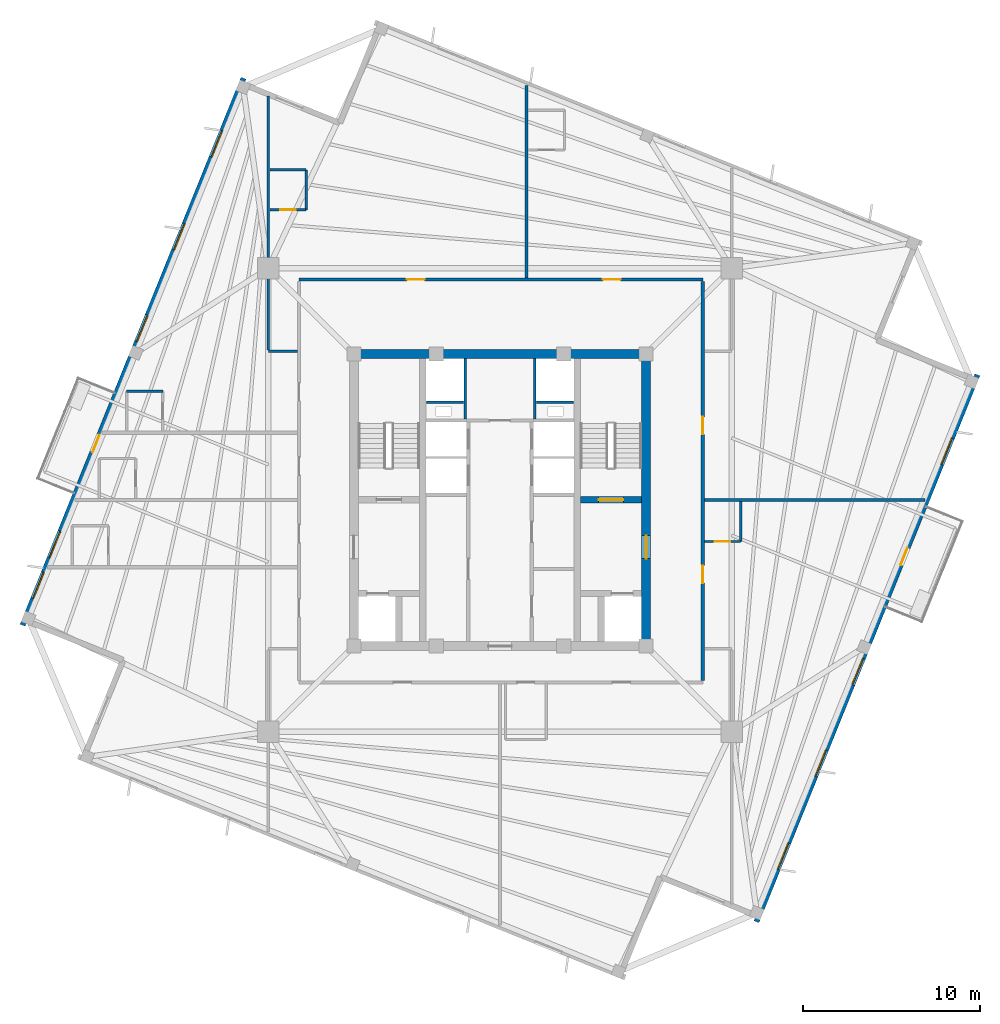
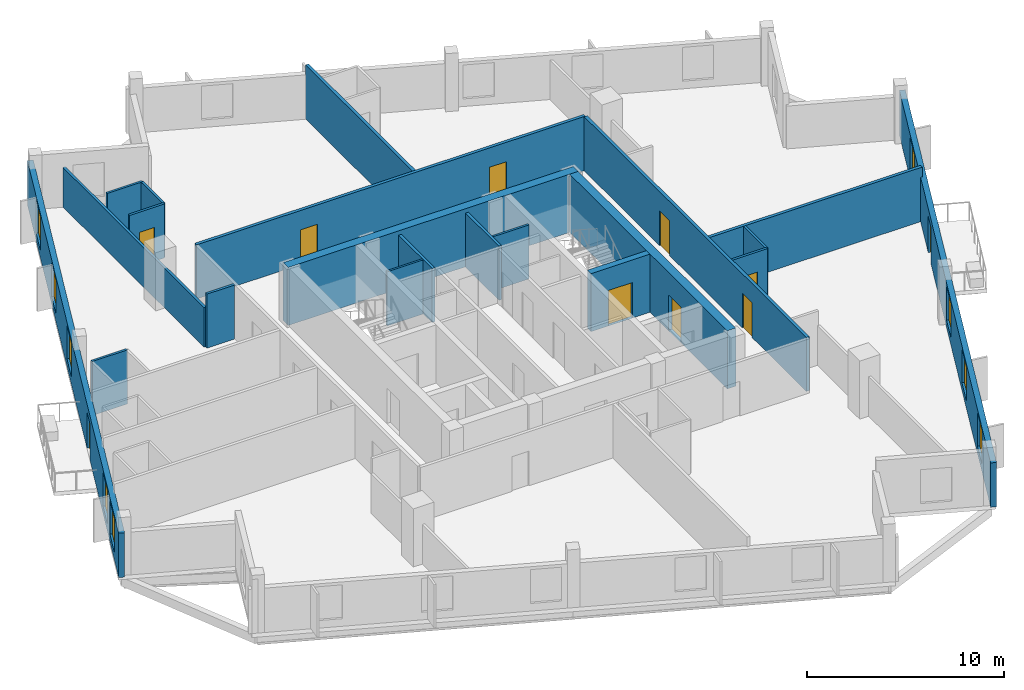
# One storey, part 4 of 8: 21 walls, 10 doors, 9 windows, 19 openings.
"""IFC4 building model written with IfcOpenShell, lengths in metres."""

from ifc_helpers import new_model, si_unit, direction, frame, frame_2d, origin, place, context, subcontext, project, spatial, rectangle, extrude, source, transform, mapped, material, layer, layer_set, type_object, element, fill, save


model = new_model("IFC4")

# Units and contexts
model_context = context("Model", 3, precision=1e-05, world=origin(), true_north=direction((0.0, 1.0)))
body_context = subcontext(model_context, "Body", "Model", "MODEL_VIEW")
ifc_project = project(units=[si_unit("LENGTHUNIT", "METRE"), si_unit("AREAUNIT", "SQUARE_METRE"), si_unit("VOLUMEUNIT", "CUBIC_METRE"), si_unit("PLANEANGLEUNIT", "RADIAN"), si_unit("MASSUNIT", "GRAM", prefix="KILO"), si_unit("THERMODYNAMICTEMPERATUREUNIT", "KELVIN")], contexts=[model_context])

# Site, building, storey
site_placement = place(None, origin())
site = spatial("IfcSite", under=ifc_project, at=site_placement, CompositionType="ELEMENT")
building_placement = place(site_placement, origin())
building = spatial("IfcBuilding", under=site, at=building_placement, Name="Kosmvard Interchange Tower", CompositionType="ELEMENT")
storey_placement = place(building_placement, frame((0.0, 0.0, 290.39990234375)))
storey = spatial("IfcBuildingStorey", under=building, at=storey_placement, Name="L71", CompositionType="ELEMENT", Elevation=290.39990234375)

# Walls
ifc_material_1 = material(Name="Acoustic gypsum partition system")
ifc_layer_1 = layer(ifc_material_1, 0.14990234375, Name="Acoustic gypsum partition system")
ifc_layer_set_1 = layer_set([ifc_layer_1], Name="Acoustic gypsum partition system")
wall_type_1 = type_object("IfcWallType", Name="Acoustic Suite & Meeting Partition 150", PredefinedType="PARTITIONING", material=ifc_layer_set_1)
wall_1_placement = place(storey_placement, frame((-11.445068359375, 8.39990234375, 0.0), z_axis=(0.0, 0.0, 1.0), x_axis=(-1.0, 0.0, 0.0)))
element("IfcWall", 1, at=wall_1_placement, inside=storey, type_object=wall_type_1, Name="L71 Room Partition 07.1", PredefinedType="PARTITIONING", context=body_context, shape_type="SweptSolid", body=[
    extrude(rectangle(XDim=1.635986328125, YDim=0.14990234375, at=frame_2d((0.81787109375, 0.0))), origin(), (0.0, 0.0, 1.0), 3.35009765625),
])
wall_2_placement = place(storey_placement, frame((-13.0810546875, 8.47509765625, 0.0), z_axis=(0.0, 0.0, 1.0), x_axis=(0.0, 1.0, 0.0)))
element("IfcWall", 2, at=wall_2_placement, inside=storey, type_object=wall_type_1, Name="L71 Room Partition 08.1", PredefinedType="PARTITIONING", context=body_context, shape_type="SweptSolid", body=[
    extrude(rectangle(XDim=14.341552734375, YDim=0.14990234375, at=frame_2d((7.1708984375, 0.0))), origin(), (0.0, 0.0, 1.0), 2.4501953125),
])
ifc_material_2 = material(Name="Fire-rated gypsum partition system")
ifc_layer_2 = layer(ifc_material_2, 0.159912109375, Name="Fire-rated gypsum partition system")
ifc_layer_set_2 = layer_set([ifc_layer_2], Name="Fire-rated gypsum partition system")
wall_type_2 = type_object("IfcWallType", Name="Core Compartment & Shuttle Lobby Partition 160", PredefinedType="PARTITIONING", material=ifc_layer_set_2)
for number, where, z_axis, x_axis, name in (
    (3, (-1.9599609375, 4.580078125, 0.0), (0.0, 0.0, 1.0), (0.0, 1.0, 0.0), "L71 North Core West Wall"),
    (4, (1.9599609375, 4.580078125, 0.0), (0.0, 0.0, 1.0), (0.0, 1.0, 0.0), "L71 North Core East Wall"),
):
    element("IfcWall", number, at=place(storey_placement, frame(where, z_axis=z_axis, x_axis=x_axis)), inside=storey, type_object=wall_type_2, Name=name, PredefinedType="PARTITIONING", context=body_context, shape_type="SweptSolid", body=[
        extrude(rectangle(XDim=3.39990234375, YDim=0.159912109375, at=frame_2d((1.699951171875, 0.0))), origin(), (0.0, 0.0, 1.0), 3.35009765625),
    ])

# Wall, openings, doors
ifc_layer_3 = layer(ifc_material_2, 0.179931640625, Name="Fire-rated gypsum partition system")
ifc_layer_set_3 = layer_set([ifc_layer_3], Name="Fire-rated gypsum partition system")
wall_type_3 = type_object("IfcWallType", Name="Corridor & Hotel Compartment Partition 180", PredefinedType="PARTITIONING", material=ifc_layer_set_3)
wall_3_placement = place(storey_placement, frame((-11.35009765625, 12.449951171875, 0.0), z_axis=(0.0, 0.0, 1.0), x_axis=(1.0, 0.0, 0.0)))
wall_3 = element("IfcWall", 5, at=wall_3_placement, inside=storey, type_object=wall_type_3, Name="L71 Corridor Wall CN", PredefinedType="PARTITIONING", context=body_context, shape_type="SweptSolid", body=[
    extrude(rectangle(XDim=22.800048828125, YDim=0.179931640625, at=frame_2d((11.39990234375, 0.0))), origin(), (0.0, 0.0, 1.0), 3.35009765625),
])
opening_1_placement = place(wall_3_placement, frame((6.08935546875, 0.0, 0.0)))
opening_1 = element("IfcOpeningElement", 6, at=opening_1_placement, cuts=wall_3, Name="Opening L71-D06", PredefinedType="OPENING", context=body_context, shape_type="SweptSolid", body=[
    extrude(rectangle(XDim=1.0, YDim=2.14990234375, at=frame_2d((0.5, 1.074951171875))), frame((0.0, 0.10009765625, 0.0), z_axis=(0.0, -1.0, 0.0), x_axis=(1.0, 0.0, 0.0)), (0.0, 0.0, 1.0), 0.199951171875),
])
opening_2_placement = place(wall_3_placement, frame((17.16064453125, 0.0, 0.0)))
opening_2 = element("IfcOpeningElement", 7, at=opening_2_placement, cuts=wall_3, Name="Opening L71-D08", PredefinedType="OPENING", context=body_context, shape_type="SweptSolid", body=[
    extrude(rectangle(XDim=1.0, YDim=2.14990234375, at=frame_2d((0.5, 1.074951171875))), frame((0.0, 0.10009765625, 0.0), z_axis=(0.0, -1.0, 0.0), x_axis=(1.0, 0.0, 0.0)), (0.0, 0.0, 1.0), 0.199951171875),
])
ifc_material_3 = material(Name="Engineered oak fire-rated timber", Category="wood")
door_type_1 = type_object("IfcDoorType", Name="Hotel Guestroom Entrance Door 1000x2150 EI60", OperationType="NOTDEFINED", PredefinedType="DOOR", material=ifc_material_3)
shared_shape_1 = source(origin(), body_context, "Body", "SweptSolid", [
    extrude(rectangle(XDim=1.0, YDim=2.14990234375, at=frame_2d((0.5, 1.074951171875))), frame((0.0, 0.02490234375, 0.0), z_axis=(0.0, -1.0, 0.0), x_axis=(1.0, 0.0, 0.0)), (0.0, 0.0, 1.0), 0.050048828125),
])
door_1_placement = place(opening_1_placement, origin())
door_1 = element("IfcDoor", 8, at=door_1_placement, inside=storey, type_object=door_type_1, Name="L71 Hotel Executive Suite 3 Door", OperationType="SINGLE_SWING_RIGHT", OverallHeight=2.14990234375, OverallWidth=1.0, PredefinedType="DOOR", context=body_context, shape_type="MappedRepresentation", body=[
    mapped(shared_shape_1, transform((0.0, 0.0, 0.0), scale=1.0)),
])
fill(opening_1, door_1)
door_2_placement = place(opening_2_placement, origin())
door_2 = element("IfcDoor", 9, at=door_2_placement, inside=storey, type_object=door_type_1, Name="L71 Hotel South-East Corner Suite 4 Door", OperationType="SINGLE_SWING_RIGHT", OverallHeight=2.14990234375, OverallWidth=1.0, PredefinedType="DOOR", context=body_context, shape_type="MappedRepresentation", body=[
    mapped(shared_shape_1, transform((0.0, 0.0, 0.0), scale=1.0)),
])
fill(opening_2, door_2)

wall_4_placement = place(storey_placement, frame((11.449951171875, -10.199951171875, 0.0), z_axis=(0.0, 0.0, 1.0), x_axis=(0.0, 1.0, 0.0)))
wall_4 = element("IfcWall", 10, at=wall_4_placement, inside=storey, type_object=wall_type_3, Name="L71 Corridor Wall CE", PredefinedType="PARTITIONING", context=body_context, shape_type="SweptSolid", body=[
    extrude(rectangle(XDim=22.550048828125, YDim=0.179931640625, at=frame_2d((11.27490234375, 0.0))), origin(), (0.0, 0.0, 1.0), 3.35009765625),
])
opening_3_placement = place(wall_4_placement, frame((13.89990234375, 0.0, 0.0)))
opening_3 = element("IfcOpeningElement", 11, at=opening_3_placement, cuts=wall_4, Name="Opening L71-D10", PredefinedType="OPENING", context=body_context, shape_type="SweptSolid", body=[
    extrude(rectangle(XDim=1.0, YDim=2.14990234375, at=frame_2d((0.5, 1.074951171875))), frame((0.0, 0.10009765625, 0.0), z_axis=(0.0, -1.0, 0.0), x_axis=(1.0, 0.0, 0.0)), (0.0, 0.0, 1.0), 0.199951171875),
])
opening_4_placement = place(wall_4_placement, frame((5.5, 0.0, 0.0)))
opening_4 = element("IfcOpeningElement", 12, at=opening_4_placement, cuts=wall_4, Name="Opening L71-D11", PredefinedType="OPENING", context=body_context, shape_type="SweptSolid", body=[
    extrude(rectangle(XDim=1.0, YDim=2.14990234375, at=frame_2d((0.5, 1.074951171875))), frame((0.0, 0.10009765625, 0.0), z_axis=(0.0, -1.0, 0.0), x_axis=(1.0, 0.0, 0.0)), (0.0, 0.0, 1.0), 0.199951171875),
])
door_3_placement = place(opening_3_placement, frame((1.0, 0.0, 0.0), z_axis=(0.0, 0.0, 1.0), x_axis=(-1.0, 0.0, 0.0)))
door_3 = element("IfcDoor", 13, at=door_3_placement, inside=storey, type_object=door_type_1, Name="L71 Hotel Summit Boardroom 1 Door", OperationType="SINGLE_SWING_RIGHT", OverallHeight=2.14990234375, OverallWidth=1.0, PredefinedType="DOOR", context=body_context, shape_type="MappedRepresentation", body=[
    mapped(shared_shape_1, transform((0.0, 0.0, 0.0), scale=1.0)),
])
fill(opening_3, door_3)
door_4_placement = place(opening_4_placement, frame((1.0, 0.0, 0.0), z_axis=(0.0, 0.0, 1.0), x_axis=(-1.0, 0.0, 0.0)))
door_4 = element("IfcDoor", 14, at=door_4_placement, inside=storey, type_object=door_type_1, Name="L71 Hotel South-West Corner Suite 5 Door", OperationType="SINGLE_SWING_LEFT", OverallHeight=2.14990234375, OverallWidth=1.0, PredefinedType="DOOR", context=body_context, shape_type="MappedRepresentation", body=[
    mapped(shared_shape_1, transform((0.0, 0.0, 0.0), scale=1.0)),
])
fill(opening_4, door_4)

# Walls
wall_5_placement = place(storey_placement, frame((1.5, 12.544921875, 0.0), z_axis=(0.0, 0.0, 1.0), x_axis=(0.0, 1.0, 0.0)))
element("IfcWall", 15, at=wall_5_placement, inside=storey, type_object=wall_type_3, Name="L71 Room Partition 01.1", PredefinedType="PARTITIONING", context=body_context, shape_type="SweptSolid", body=[
    extrude(rectangle(XDim=10.851806640625, YDim=0.179931640625, at=frame_2d((5.42578125, 0.0))), origin(), (0.0, 0.0, 1.0), 3.35009765625),
])
wall_6_placement = place(storey_placement, frame((11.544921875, 0.0, 0.0), z_axis=(0.0, 0.0, 1.0), x_axis=(1.0, 0.0, 0.0)))
element("IfcWall", 16, at=wall_6_placement, inside=storey, type_object=wall_type_3, Name="L71 Room Partition 02.1", PredefinedType="PARTITIONING", context=body_context, shape_type="SweptSolid", body=[
    extrude(rectangle(XDim=12.457763671875, YDim=0.179931640625, at=frame_2d((6.22900390625, 0.0))), origin(), (0.0, 0.0, 1.0), 3.35009765625),
])
ifc_material_4 = material(Name="Fire-rated gypsum shaftwall system")
ifc_layer_4 = layer(ifc_material_4, 0.1201171875, Name="Fire-rated gypsum shaftwall system")
ifc_layer_set_4 = layer_set([ifc_layer_4], Name="Fire-rated gypsum shaftwall system")
wall_type_4 = type_object("IfcWallType", Name="Shaft & Riser Fire Partition 120 EI60", PredefinedType="PARTITIONING", material=ifc_layer_set_4)
for number, where, z_axis, x_axis, name in (
    (17, (-4.159912109375, 5.52001953125, 0.0), (0.0, 0.0, 1.0), (1.0, 0.0, 0.0), "L71 Riser Shaft Divider W"),
    (18, (2.06005859375, 5.52001953125, 0.0), (0.0, 0.0, 1.0), (1.0, 0.0, 0.0), "L71 Riser Shaft Divider E"),
):
    element("IfcWall", number, at=place(storey_placement, frame(where, z_axis=z_axis, x_axis=x_axis)), inside=storey, type_object=wall_type_4, Name=name, PredefinedType="PARTITIONING", context=body_context, shape_type="SweptSolid", body=[
        extrude(rectangle(XDim=2.099853515625, YDim=0.1201171875, at=frame_2d((1.0498046875, 0.0))), origin(), (0.0, 0.0, 1.0), 3.35009765625),
    ])

# Wall, opening, door
ifc_material_5 = material(Name="Concrete C60/75", Category="concrete")
ifc_layer_5 = layer(ifc_material_5, 0.360107421875, Name="Concrete C60/75")
ifc_layer_set_5 = layer_set([ifc_layer_5], Name="Concrete C60/75")
wall_type_5 = type_object("IfcWallType", Name="Stair & Lift Shaft Shear Wall 360 C60/75", PredefinedType="SHEAR", material=ifc_layer_set_5)
wall_7_placement = place(storey_placement, frame((4.5400390625, 0.02001953125, 0.0), z_axis=(0.0, 0.0, 1.0), x_axis=(1.0, 0.0, 0.0)))
wall_7 = element("IfcWall", 19, at=wall_7_placement, inside=storey, type_object=wall_type_5, Name="L71 Shaft Shear Wall SW-ST2", PredefinedType="SHEAR", context=body_context, shape_type="SweptSolid", body=[
    extrude(rectangle(XDim=3.4599609375, YDim=0.360107421875, at=frame_2d((1.72998046875, 0.0))), origin(), (0.0, 0.0, 1.0), 3.60009765625),
])
opening_5_placement = place(wall_7_placement, frame((1.030029296875, 0.0, 0.0)))
opening_5 = element("IfcOpeningElement", 20, at=opening_5_placement, cuts=wall_7, Name="Opening L71-SD2", PredefinedType="OPENING", context=body_context, shape_type="SweptSolid", body=[
    extrude(rectangle(XDim=1.39990234375, YDim=2.199951171875, at=frame_2d((0.699951171875, 1.10009765625))), frame((0.0, 0.18994140625, 0.0), z_axis=(0.0, -1.0, 0.0), x_axis=(1.0, 0.0, 0.0)), (0.0, 0.0, 1.0), 0.380126953125),
])
ifc_material_6 = material(Name="Painted fire-rated steel leaf", Category="steel")
door_type_2 = type_object("IfcDoorType", Name="Protected Stair Door 1400x2200 FD60S", OperationType="NOTDEFINED", PredefinedType="DOOR", material=ifc_material_6)
shared_shape_2 = source(origin(), body_context, "Body", "SweptSolid", [
    extrude(rectangle(XDim=1.39990234375, YDim=2.199951171875, at=frame_2d((0.699951171875, 1.10009765625))), frame((0.0, 0.02490234375, 0.0), z_axis=(0.0, -1.0, 0.0), x_axis=(1.0, 0.0, 0.0)), (0.0, 0.0, 1.0), 0.050048828125),
])
door_5_placement = place(opening_5_placement, origin())
door_5 = element("IfcDoor", 21, at=door_5_placement, inside=storey, type_object=door_type_2, Name="L71 Stair ST-2 Enclosure Door", OperationType="SINGLE_SWING_RIGHT", OverallHeight=2.199951171875, OverallWidth=1.39990234375, PredefinedType="DOOR", context=body_context, shape_type="MappedRepresentation", body=[
    mapped(shared_shape_2, transform((0.0, 0.0, 0.0), scale=1.0)),
])
fill(opening_5, door_5)

# Wall
ifc_layer_6 = layer(ifc_material_5, 0.5, Name="Concrete C60/75")
ifc_layer_set_6 = layer_set([ifc_layer_6], Name="Concrete C60/75")
wall_type_6 = type_object("IfcWallType", Name="Upper Core Shear Wall 500 C60/75", PredefinedType="SHEAR", material=ifc_layer_set_6)
wall_8_placement = place(storey_placement, frame((-8.5, 8.25, 0.0), z_axis=(0.0, 0.0, 1.0), x_axis=(1.0, 0.0, 0.0)))
element("IfcWall", 22, at=wall_8_placement, inside=storey, type_object=wall_type_6, Name="L71 Core Shear Wall CW-N", PredefinedType="SHEAR", context=body_context, shape_type="SweptSolid", body=[
    extrude(rectangle(XDim=17.0, YDim=0.5, at=frame_2d((8.5, 0.0))), origin(), (0.0, 0.0, 1.0), 3.60009765625),
])

# Wall, opening, door
wall_9_placement = place(storey_placement, frame((8.25, -8.0, 0.0), z_axis=(0.0, 0.0, 1.0), x_axis=(0.0, 1.0, 0.0)))
wall_9 = element("IfcWall", 23, at=wall_9_placement, inside=storey, type_object=wall_type_6, Name="L71 Core Shear Wall CW-E", PredefinedType="SHEAR", context=body_context, shape_type="SweptSolid", body=[
    extrude(rectangle(XDim=16.0, YDim=0.5, at=frame_2d((8.0, 0.0))), origin(), (0.0, 0.0, 1.0), 3.60009765625),
])
opening_6_placement = place(wall_9_placement, frame((4.68994140625, 0.0, 0.0)))
opening_6 = element("IfcOpeningElement", 24, at=opening_6_placement, cuts=wall_9, Name="Opening L71-FD2", PredefinedType="OPENING", context=body_context, shape_type="SweptSolid", body=[
    extrude(rectangle(XDim=1.300048828125, YDim=2.199951171875, at=frame_2d((0.64990234375, 1.10009765625))), frame((0.0, 0.260009765625, 0.0), z_axis=(0.0, -1.0, 0.0), x_axis=(1.0, 0.0, 0.0)), (0.0, 0.0, 1.0), 0.52001953125),
])
door_type_3 = type_object("IfcDoorType", Name="Firefighting Lobby Door 1300x2200 EI60", OperationType="NOTDEFINED", PredefinedType="DOOR", material=ifc_material_6)
shared_shape_3 = source(origin(), body_context, "Body", "SweptSolid", [
    extrude(rectangle(XDim=1.300048828125, YDim=2.199951171875, at=frame_2d((0.64990234375, 1.10009765625))), frame((0.0, 0.02490234375, 0.0), z_axis=(0.0, -1.0, 0.0), x_axis=(1.0, 0.0, 0.0)), (0.0, 0.0, 1.0), 0.050048828125),
])
door_6_placement = place(opening_6_placement, origin())
door_6 = element("IfcDoor", 25, at=door_6_placement, inside=storey, type_object=door_type_3, Name="L71 Firefighting Lobby East Door", OperationType="SINGLE_SWING_RIGHT", OverallHeight=2.199951171875, OverallWidth=1.300048828125, PredefinedType="DOOR", context=body_context, shape_type="MappedRepresentation", body=[
    mapped(shared_shape_3, transform((0.0, 0.0, 0.0), scale=1.0)),
])
fill(opening_6, door_6)

# Wall, openings, door, windows
ifc_material_7 = material(Name="Precast concrete C45/55", Category="concrete")
ifc_layer_7 = layer(ifc_material_7, 0.31005859375, Name="Precast concrete C45/55")
ifc_layer_set_7 = layer_set([ifc_layer_7], Name="Precast concrete C45/55")
wall_type_7 = type_object("IfcWallType", Name="Upper Tower Precast Pier Wall 310 C45/55", PredefinedType="STANDARD", material=ifc_layer_set_7)
wall_10_placement = place(storey_placement, frame((14.478759765625, -23.812744140625, 0.0), z_axis=(0.0, 0.0, 1.0), x_axis=(0.374609557019, 0.927182657188, 0.0)))
wall_10 = element("IfcWall", 26, at=wall_10_placement, inside=storey, type_object=wall_type_7, Name="L71 Precast Facade Wall F-S", PredefinedType="STANDARD", context=body_context, shape_type="SweptSolid", body=[
    extrude(rectangle(XDim=33.31005859375, YDim=0.31005859375, at=frame_2d((16.655029296875, 0.0))), origin(), (0.0, 0.0, 1.0), 2.75),
])
opening_7_placement = place(wall_10_placement, frame((21.72998046875, 0.0, 0.0)))
opening_7 = element("IfcOpeningElement", 27, at=opening_7_placement, cuts=wall_10, Name="Opening L71-BDW", PredefinedType="OPENING", context=body_context, shape_type="SweptSolid", body=[
    extrude(rectangle(XDim=1.050048828125, YDim=2.25, at=frame_2d((0.52490234375, 1.125))), frame((0.0, 0.1650390625, 0.0), z_axis=(0.0, -1.0, 0.0), x_axis=(1.0, 0.0, 0.0)), (0.0, 0.0, 1.0), 0.330078125),
])
opening_8_placement = place(wall_10_placement, frame((3.197265625, 0.0, 0.469970703125)))
opening_8 = element("IfcOpeningElement", 28, at=opening_8_placement, cuts=wall_10, Name="Opening L71-W01", PredefinedType="OPENING", context=body_context, shape_type="SweptSolid", body=[
    extrude(rectangle(XDim=1.60009765625, YDim=2.10009765625, at=frame_2d((0.800048828125, 1.050048828125))), frame((0.0, 0.1650390625, 0.0), z_axis=(0.0, -1.0, 0.0), x_axis=(1.0, 0.0, 0.0)), (0.0, 0.0, 1.0), 0.330078125),
])
opening_9_placement = place(wall_10_placement, frame((8.85986328125, 0.0, 0.469970703125)))
opening_9 = element("IfcOpeningElement", 29, at=opening_9_placement, cuts=wall_10, Name="Opening L71-W02", PredefinedType="OPENING", context=body_context, shape_type="SweptSolid", body=[
    extrude(rectangle(XDim=1.60009765625, YDim=2.10009765625, at=frame_2d((0.800048828125, 1.050048828125))), frame((0.0, 0.1650390625, 0.0), z_axis=(0.0, -1.0, 0.0), x_axis=(1.0, 0.0, 0.0)), (0.0, 0.0, 1.0), 0.330078125),
])
opening_10_placement = place(wall_10_placement, frame((14.438720703125, 0.0, 0.469970703125)))
opening_10 = element("IfcOpeningElement", 30, at=opening_10_placement, cuts=wall_10, Name="Opening L71-W03", PredefinedType="OPENING", context=body_context, shape_type="SweptSolid", body=[
    extrude(rectangle(XDim=1.60009765625, YDim=2.10009765625, at=frame_2d((0.800048828125, 1.050048828125))), frame((0.0, 0.1650390625, 0.0), z_axis=(0.0, -1.0, 0.0), x_axis=(1.0, 0.0, 0.0)), (0.0, 0.0, 1.0), 0.330078125),
])
opening_11_placement = place(wall_10_placement, frame((27.8466796875, 0.0, 0.469970703125)))
opening_11 = element("IfcOpeningElement", 31, at=opening_11_placement, cuts=wall_10, Name="Opening L71-W04", PredefinedType="OPENING", context=body_context, shape_type="SweptSolid", body=[
    extrude(rectangle(XDim=1.60009765625, YDim=2.10009765625, at=frame_2d((0.800048828125, 1.050048828125))), frame((0.0, 0.1650390625, 0.0), z_axis=(0.0, -1.0, 0.0), x_axis=(1.0, 0.0, 0.0)), (0.0, 0.0, 1.0), 0.330078125),
])
ifc_material_8 = material(Name="Anodised aluminium and safety glass", Category="aluminium")
door_type_4 = type_object("IfcDoorType", Name="Tree-Balcony Glazed Door 1050x2250", OperationType="NOTDEFINED", PredefinedType="DOOR", material=ifc_material_8)
shared_shape_4 = source(origin(), body_context, "Body", "SweptSolid", [
    extrude(rectangle(XDim=1.050048828125, YDim=2.25, at=frame_2d((0.52490234375, 1.125))), frame((0.0, 0.02490234375, 0.0), z_axis=(0.0, -1.0, 0.0), x_axis=(1.0, 0.0, 0.0)), (0.0, 0.0, 1.0), 0.050048828125),
])
door_7_placement = place(opening_7_placement, origin())
door_7 = element("IfcDoor", 32, at=door_7_placement, inside=storey, type_object=door_type_4, Name="L71 Tree-Balcony Door BAL-L71-SW", OperationType="SINGLE_SWING_RIGHT", OverallHeight=2.25, OverallWidth=1.050048828125, PredefinedType="DOOR", context=body_context, shape_type="MappedRepresentation", body=[
    mapped(shared_shape_4, transform((0.0, 0.0, 0.0), scale=1.0)),
])
fill(opening_7, door_7)
ifc_material_9 = material(Name="Low-E acoustic double glazing", Category="glass")
window_type = type_object("IfcWindowType", Name="Zone 5 Hotel Punched Window 1600x2100", PartitioningType="SINGLE_PANEL", PredefinedType="WINDOW", material=ifc_material_9)
shared_shape_5 = source(origin(), body_context, "Body", "SweptSolid", [
    extrude(rectangle(XDim=1.60009765625, YDim=2.10009765625, at=frame_2d((0.800048828125, 1.050048828125))), frame((0.0, 0.030029296875, 0.0), z_axis=(0.0, -1.0, 0.0), x_axis=(1.0, 0.0, 0.0)), (0.0, 0.0, 1.0), 0.06005859375),
])
window_1_placement = place(opening_8_placement, origin())
window_1 = element("IfcWindow", 33, at=window_1_placement, inside=storey, type_object=window_type, Name="L71 Facade Punched Window 01", OverallHeight=2.10009765625, OverallWidth=1.60009765625, PartitioningType="SINGLE_PANEL", PredefinedType="WINDOW", context=body_context, shape_type="MappedRepresentation", body=[
    mapped(shared_shape_5, transform((0.0, 0.0, 0.0), scale=1.0)),
])
fill(opening_8, window_1)
window_2_placement = place(opening_9_placement, origin())
window_2 = element("IfcWindow", 34, at=window_2_placement, inside=storey, type_object=window_type, Name="L71 Facade Punched Window 02", OverallHeight=2.10009765625, OverallWidth=1.60009765625, PartitioningType="SINGLE_PANEL", PredefinedType="WINDOW", context=body_context, shape_type="MappedRepresentation", body=[
    mapped(shared_shape_5, transform((0.0, 0.0, 0.0), scale=1.0)),
])
fill(opening_9, window_2)
window_3_placement = place(opening_10_placement, origin())
window_3 = element("IfcWindow", 35, at=window_3_placement, inside=storey, type_object=window_type, Name="L71 Facade Punched Window 03", OverallHeight=2.10009765625, OverallWidth=1.60009765625, PartitioningType="SINGLE_PANEL", PredefinedType="WINDOW", context=body_context, shape_type="MappedRepresentation", body=[
    mapped(shared_shape_5, transform((0.0, 0.0, 0.0), scale=1.0)),
])
fill(opening_10, window_3)
window_4_placement = place(opening_11_placement, origin())
window_4 = element("IfcWindow", 36, at=window_4_placement, inside=storey, type_object=window_type, Name="L71 Facade Punched Window 04", OverallHeight=2.10009765625, OverallWidth=1.60009765625, PartitioningType="SINGLE_PANEL", PredefinedType="WINDOW", context=body_context, shape_type="MappedRepresentation", body=[
    mapped(shared_shape_5, transform((0.0, 0.0, 0.0), scale=1.0)),
])
fill(opening_11, window_4)

wall_11_placement = place(storey_placement, frame((-14.478759765625, 23.812744140625, 0.0), z_axis=(0.0, 0.0, 1.0), x_axis=(-0.374609557019, -0.927182657188, 0.0)))
wall_11 = element("IfcWall", 37, at=wall_11_placement, inside=storey, type_object=wall_type_7, Name="L71 Precast Facade Wall F-N", PredefinedType="STANDARD", context=body_context, shape_type="SweptSolid", body=[
    extrude(rectangle(XDim=33.31005859375, YDim=0.31005859375, at=frame_2d((16.655029296875, 0.0))), origin(), (0.0, 0.0, 1.0), 2.75),
])
opening_12_placement = place(wall_11_placement, frame((21.72998046875, 0.0, 0.0)))
opening_12 = element("IfcOpeningElement", 38, at=opening_12_placement, cuts=wall_11, Name="Opening L71-BDE", PredefinedType="OPENING", context=body_context, shape_type="SweptSolid", body=[
    extrude(rectangle(XDim=1.050048828125, YDim=2.25, at=frame_2d((0.52490234375, 1.125))), frame((0.0, 0.1650390625, 0.0), z_axis=(0.0, -1.0, 0.0), x_axis=(1.0, 0.0, 0.0)), (0.0, 0.0, 1.0), 0.330078125),
])
opening_13_placement = place(wall_11_placement, frame((3.197265625, 0.0, 0.469970703125)))
opening_13 = element("IfcOpeningElement", 39, at=opening_13_placement, cuts=wall_11, Name="Opening L71-W09", PredefinedType="OPENING", context=body_context, shape_type="SweptSolid", body=[
    extrude(rectangle(XDim=1.60009765625, YDim=2.10009765625, at=frame_2d((0.800048828125, 1.050048828125))), frame((0.0, 0.1650390625, 0.0), z_axis=(0.0, -1.0, 0.0), x_axis=(1.0, 0.0, 0.0)), (0.0, 0.0, 1.0), 0.330078125),
])
opening_14_placement = place(wall_11_placement, frame((8.85986328125, 0.0, 0.469970703125)))
opening_14 = element("IfcOpeningElement", 40, at=opening_14_placement, cuts=wall_11, Name="Opening L71-W10", PredefinedType="OPENING", context=body_context, shape_type="SweptSolid", body=[
    extrude(rectangle(XDim=1.60009765625, YDim=2.10009765625, at=frame_2d((0.800048828125, 1.050048828125))), frame((0.0, 0.1650390625, 0.0), z_axis=(0.0, -1.0, 0.0), x_axis=(1.0, 0.0, 0.0)), (0.0, 0.0, 1.0), 0.330078125),
])
opening_15_placement = place(wall_11_placement, frame((14.438720703125, 0.0, 0.469970703125)))
opening_15 = element("IfcOpeningElement", 41, at=opening_15_placement, cuts=wall_11, Name="Opening L71-W11", PredefinedType="OPENING", context=body_context, shape_type="SweptSolid", body=[
    extrude(rectangle(XDim=1.60009765625, YDim=2.10009765625, at=frame_2d((0.800048828125, 1.050048828125))), frame((0.0, 0.1650390625, 0.0), z_axis=(0.0, -1.0, 0.0), x_axis=(1.0, 0.0, 0.0)), (0.0, 0.0, 1.0), 0.330078125),
])
opening_16_placement = place(wall_11_placement, frame((30.0966796875, 0.0, 0.469970703125)))
opening_16 = element("IfcOpeningElement", 42, at=opening_16_placement, cuts=wall_11, Name="Opening L71-W12", PredefinedType="OPENING", context=body_context, shape_type="SweptSolid", body=[
    extrude(rectangle(XDim=1.60009765625, YDim=2.10009765625, at=frame_2d((0.800048828125, 1.050048828125))), frame((0.0, 0.1650390625, 0.0), z_axis=(0.0, -1.0, 0.0), x_axis=(1.0, 0.0, 0.0)), (0.0, 0.0, 1.0), 0.330078125),
])
opening_17_placement = place(wall_11_placement, frame((27.58984375, 0.0, 0.469970703125)))
opening_17 = element("IfcOpeningElement", 43, at=opening_17_placement, cuts=wall_11, Name="Opening L71-DW22", PredefinedType="OPENING", context=body_context, shape_type="SweptSolid", body=[
    extrude(rectangle(XDim=1.60009765625, YDim=2.10009765625, at=frame_2d((0.800048828125, 1.050048828125))), frame((0.0, 0.1650390625, 0.0), z_axis=(0.0, -1.0, 0.0), x_axis=(1.0, 0.0, 0.0)), (0.0, 0.0, 1.0), 0.330078125),
])
door_8_placement = place(opening_12_placement, origin())
door_8 = element("IfcDoor", 44, at=door_8_placement, inside=storey, type_object=door_type_4, Name="L71 Tree-Balcony Door BAL-L71-NE", OperationType="SINGLE_SWING_RIGHT", OverallHeight=2.25, OverallWidth=1.050048828125, PredefinedType="DOOR", context=body_context, shape_type="MappedRepresentation", body=[
    mapped(shared_shape_4, transform((0.0, 0.0, 0.0), scale=1.0)),
])
fill(opening_12, door_8)
window_5_placement = place(opening_13_placement, origin())
window_5 = element("IfcWindow", 45, at=window_5_placement, inside=storey, type_object=window_type, Name="L71 Facade Punched Window 09", OverallHeight=2.10009765625, OverallWidth=1.60009765625, PartitioningType="SINGLE_PANEL", PredefinedType="WINDOW", context=body_context, shape_type="MappedRepresentation", body=[
    mapped(shared_shape_5, transform((0.0, 0.0, 0.0), scale=1.0)),
])
fill(opening_13, window_5)
window_6_placement = place(opening_14_placement, origin())
window_6 = element("IfcWindow", 46, at=window_6_placement, inside=storey, type_object=window_type, Name="L71 Facade Punched Window 10", OverallHeight=2.10009765625, OverallWidth=1.60009765625, PartitioningType="SINGLE_PANEL", PredefinedType="WINDOW", context=body_context, shape_type="MappedRepresentation", body=[
    mapped(shared_shape_5, transform((0.0, 0.0, 0.0), scale=1.0)),
])
fill(opening_14, window_6)
window_7_placement = place(opening_15_placement, origin())
window_7 = element("IfcWindow", 47, at=window_7_placement, inside=storey, type_object=window_type, Name="L71 Facade Punched Window 11", OverallHeight=2.10009765625, OverallWidth=1.60009765625, PartitioningType="SINGLE_PANEL", PredefinedType="WINDOW", context=body_context, shape_type="MappedRepresentation", body=[
    mapped(shared_shape_5, transform((0.0, 0.0, 0.0), scale=1.0)),
])
fill(opening_15, window_7)
window_8_placement = place(opening_16_placement, origin())
window_8 = element("IfcWindow", 48, at=window_8_placement, inside=storey, type_object=window_type, Name="L71 Facade Punched Window 12", OverallHeight=2.10009765625, OverallWidth=1.60009765625, PartitioningType="SINGLE_PANEL", PredefinedType="WINDOW", context=body_context, shape_type="MappedRepresentation", body=[
    mapped(shared_shape_5, transform((0.0, 0.0, 0.0), scale=1.0)),
])
fill(opening_16, window_8)
window_9_placement = place(opening_17_placement, origin())
window_9 = element("IfcWindow", 49, at=window_9_placement, inside=storey, type_object=window_type, Name="L71 Guest Room Punched Window 22", OverallHeight=2.10009765625, OverallWidth=1.60009765625, PartitioningType="SINGLE_PANEL", PredefinedType="WINDOW", context=body_context, shape_type="MappedRepresentation", body=[
    mapped(shared_shape_5, transform((0.0, 0.0, 0.0), scale=1.0)),
])
fill(opening_17, window_9)

# Wall
ifc_material_10 = material(Name="Moisture-resistant gypsum partition")
ifc_layer_8 = layer(ifc_material_10, 0.135009765625, Name="Moisture-resistant gypsum partition")
ifc_layer_set_8 = layer_set([ifc_layer_8], Name="Moisture-resistant gypsum partition")
wall_type_8 = type_object("IfcWallType", Name="Wet Room Moisture-Resistant Partition 135", PredefinedType="PARTITIONING", material=ifc_layer_set_8)
wall_12_placement = place(storey_placement, frame((-21.084228515625, 6.139892578125, 0.0), z_axis=(0.0, 0.0, 1.0), x_axis=(1.0, 0.0, 0.0)))
element("IfcWall", 50, at=wall_12_placement, inside=storey, type_object=wall_type_8, Name="L71 En-Suite Partition HPS2-N", PredefinedType="PARTITIONING", context=body_context, shape_type="SweptSolid", body=[
    extrude(rectangle(XDim=2.050048828125, YDim=0.135009765625, at=frame_2d((1.02490234375, 0.0))), origin(), (0.0, 0.0, 1.0), 3.35009765625),
])

# Wall, opening, door
wall_13_placement = place(storey_placement, frame((-12.990966796875, 16.3857421875, 0.0), z_axis=(0.0, 0.0, 1.0), x_axis=(1.0, 0.0, 0.0)))
wall_13 = element("IfcWall", 51, at=wall_13_placement, inside=storey, type_object=wall_type_8, Name="L71 En-Suite Partition HPS3-S", PredefinedType="PARTITIONING", context=body_context, shape_type="SweptSolid", body=[
    extrude(rectangle(XDim=2.050048828125, YDim=0.135009765625, at=frame_2d((1.02490234375, 0.0))), origin(), (0.0, 0.0, 1.0), 3.35009765625),
])
opening_18_placement = place(wall_13_placement, frame((0.5849609375, 0.0, 0.0)))
opening_18 = element("IfcOpeningElement", 52, at=opening_18_placement, cuts=wall_13, Name="Opening L71-ED07", PredefinedType="OPENING", context=body_context, shape_type="SweptSolid", body=[
    extrude(rectangle(XDim=0.8798828125, YDim=2.10009765625, at=frame_2d((0.43994140625, 1.050048828125))), frame((0.0, 0.07763671875, 0.0), z_axis=(0.0, -1.0, 0.0), x_axis=(1.0, 0.0, 0.0)), (0.0, 0.0, 1.0), 0.155029296875),
])
ifc_material_11 = material(Name="Laminated moisture-resistant timber", Category="wood")
door_type_5 = type_object("IfcDoorType", Name="En-Suite & Washroom Door 880x2100", OperationType="NOTDEFINED", PredefinedType="DOOR", material=ifc_material_11)
shared_shape_6 = source(origin(), body_context, "Body", "SweptSolid", [
    extrude(rectangle(XDim=0.8798828125, YDim=2.10009765625, at=frame_2d((0.43994140625, 1.050048828125))), frame((0.0, 0.02490234375, 0.0), z_axis=(0.0, -1.0, 0.0), x_axis=(1.0, 0.0, 0.0)), (0.0, 0.0, 1.0), 0.050048828125),
])
door_9_placement = place(opening_18_placement, origin())
door_9 = element("IfcDoor", 53, at=door_9_placement, inside=storey, type_object=door_type_5, Name="L71 HPS3 En-Suite Door", OperationType="SINGLE_SWING_RIGHT", OverallHeight=2.10009765625, OverallWidth=0.8798828125, PredefinedType="DOOR", context=body_context, shape_type="MappedRepresentation", body=[
    mapped(shared_shape_6, transform((0.0, 0.0, 0.0), scale=1.0)),
])
fill(opening_18, door_9)

# Walls
wall_14_placement = place(storey_placement, frame((-10.94091796875, 16.3857421875, 0.0), z_axis=(0.0, 0.0, 1.0), x_axis=(0.0, 1.0, 0.0)))
element("IfcWall", 54, at=wall_14_placement, inside=storey, type_object=wall_type_8, Name="L71 En-Suite Partition HPS3-E", PredefinedType="PARTITIONING", context=body_context, shape_type="SweptSolid", body=[
    extrude(rectangle(XDim=2.25, YDim=0.135009765625, at=frame_2d((1.125, 0.0))), origin(), (0.0, 0.0, 1.0), 3.35009765625),
])
wall_15_placement = place(storey_placement, frame((-12.990966796875, 18.6357421875, 0.0), z_axis=(0.0, 0.0, 1.0), x_axis=(1.0, 0.0, 0.0)))
element("IfcWall", 55, at=wall_15_placement, inside=storey, type_object=wall_type_8, Name="L71 En-Suite Partition HPS3-N", PredefinedType="PARTITIONING", context=body_context, shape_type="SweptSolid", body=[
    extrude(rectangle(XDim=2.050048828125, YDim=0.135009765625, at=frame_2d((1.02490234375, 0.0))), origin(), (0.0, 0.0, 1.0), 3.35009765625),
])

# Wall, opening, door
wall_16_placement = place(storey_placement, frame((11.534912109375, -2.340087890625, 0.0), z_axis=(0.0, 0.0, 1.0), x_axis=(1.0, 0.0, 0.0)))
wall_16 = element("IfcWall", 56, at=wall_16_placement, inside=storey, type_object=wall_type_8, Name="L71 En-Suite Partition HPS5-S", PredefinedType="PARTITIONING", context=body_context, shape_type="SweptSolid", body=[
    extrude(rectangle(XDim=2.050048828125, YDim=0.135009765625, at=frame_2d((1.02490234375, 0.0))), origin(), (0.0, 0.0, 1.0), 3.35009765625),
])
opening_19_placement = place(wall_16_placement, frame((0.5849609375, 0.0, 0.0)))
opening_19 = element("IfcOpeningElement", 57, at=opening_19_placement, cuts=wall_16, Name="Opening L71-ED12", PredefinedType="OPENING", context=body_context, shape_type="SweptSolid", body=[
    extrude(rectangle(XDim=0.8798828125, YDim=2.10009765625, at=frame_2d((0.43994140625, 1.050048828125))), frame((0.0, 0.07763671875, 0.0), z_axis=(0.0, -1.0, 0.0), x_axis=(1.0, 0.0, 0.0)), (0.0, 0.0, 1.0), 0.155029296875),
])
door_10_placement = place(opening_19_placement, origin())
door_10 = element("IfcDoor", 58, at=door_10_placement, inside=storey, type_object=door_type_5, Name="L71 HPS5 En-Suite Door", OperationType="SINGLE_SWING_LEFT", OverallHeight=2.10009765625, OverallWidth=0.8798828125, PredefinedType="DOOR", context=body_context, shape_type="MappedRepresentation", body=[
    mapped(shared_shape_6, transform((0.0, 0.0, 0.0), scale=1.0)),
])
fill(opening_19, door_10)

# Wall
wall_17_placement = place(storey_placement, frame((13.5849609375, -2.340087890625, 0.0), z_axis=(0.0, 0.0, 1.0), x_axis=(0.0, 1.0, 0.0)))
element("IfcWall", 59, at=wall_17_placement, inside=storey, type_object=wall_type_8, Name="L71 En-Suite Partition HPS5-E", PredefinedType="PARTITIONING", context=body_context, shape_type="SweptSolid", body=[
    extrude(rectangle(XDim=2.25, YDim=0.135009765625, at=frame_2d((1.125, 0.0))), origin(), (0.0, 0.0, 1.0), 3.35009765625),
])

save(model, "model.ifc")
